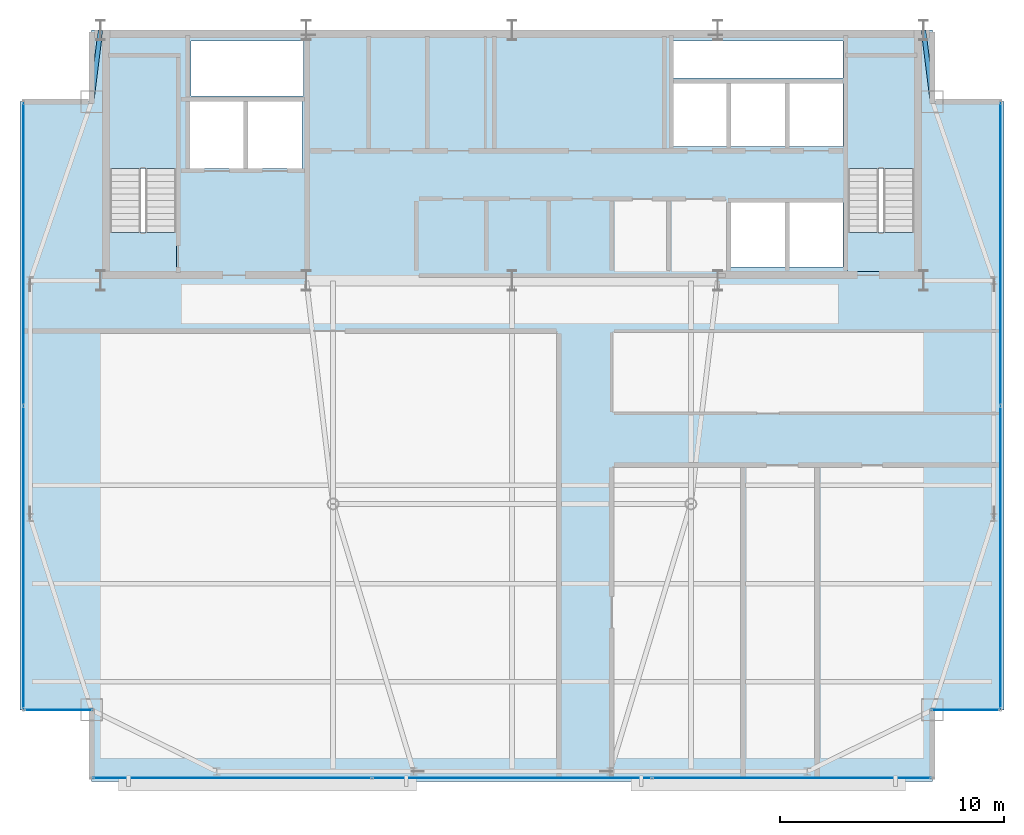
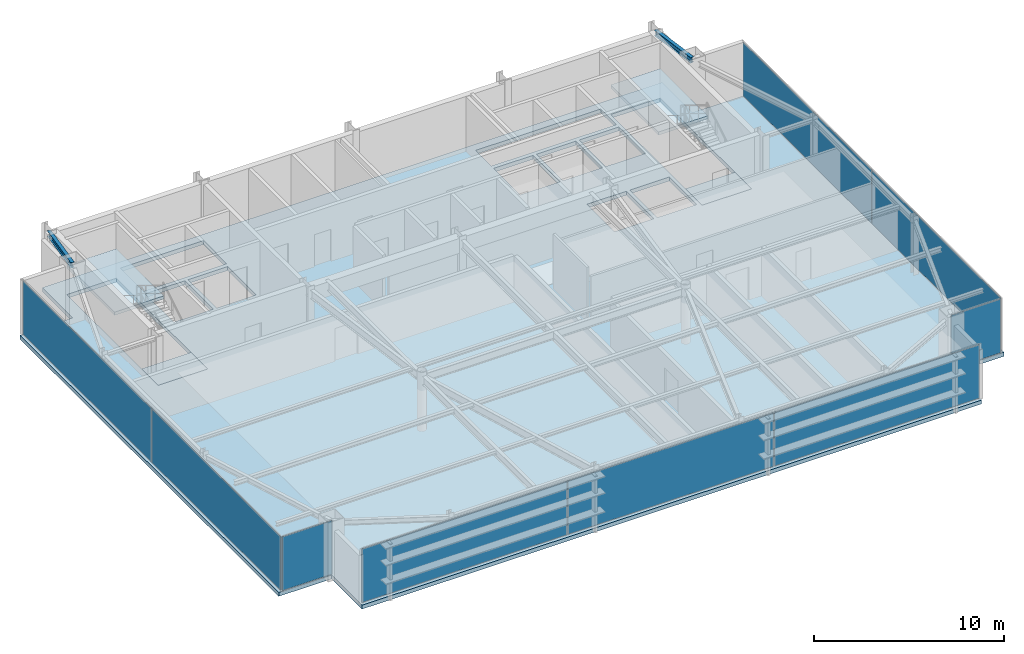
# One storey, part 18 of 24: 9 plates, 5 slabs, 2 beams, 7 elements without a shape of their own.
"""IFC4 building model written with IfcOpenShell, lengths in metres."""

from ifc_helpers import new_model, si_unit, direction, frame, origin, origin_2d, place, context, subcontext, project, spatial, polyline, rectangle, i_section, outline, extrude, source, transform, mapped, material, layer, layer_set, material_profile, profile_set, type_object, type_shapes, element, aggregate, save


model = new_model("IFC4")

# Units and contexts
model_context = context("Model", 3, precision=1e-05, world=origin(), true_north=direction((0.0, 1.0)))
body_context = subcontext(model_context, "Body", "Model", "MODEL_VIEW")
ifc_project = project(units=[si_unit("LENGTHUNIT", "METRE"), si_unit("AREAUNIT", "SQUARE_METRE"), si_unit("VOLUMEUNIT", "CUBIC_METRE"), si_unit("PLANEANGLEUNIT", "RADIAN"), si_unit("MASSUNIT", "GRAM", prefix="KILO")], contexts=[model_context])

# Site, building, storey
site_placement = place(None, origin())
site = spatial("IfcSite", under=ifc_project, at=site_placement, CompositionType="ELEMENT")
building_placement = place(site_placement, origin())
building = spatial("IfcBuilding", under=site, at=building_placement, Name="Varnel Quay Broadcast Tower", CompositionType="ELEMENT")
storey_placement = place(building_placement, frame((0.0, 0.0, 285.0)))
storey = spatial("IfcBuildingStorey", under=building, at=storey_placement, Name="L71", CompositionType="ELEMENT", Elevation=285.0)

# Beams
ifc_material_1 = material(Name="Structural Steel CSA G40.21 350W", Category="steel")
ifc_material_profile = material_profile(ifc_material_1, i_section(OverallWidth=0.205078125, OverallDepth=0.35400390625, WebThickness=0.009521484375, FlangeThickness=0.016845703125, FilletRadius=0.012939453125, at=origin_2d()), Name="W360X79")
ifc_profile_set = profile_set([ifc_material_profile], Name="Structural Steel CSA G40.21 350W")
beam_type = type_object("IfcBeamType", Name="Beam_W360X79", PredefinedType="SPANDREL", material=ifc_profile_set)
shared_shape_1 = source(origin(), body_context, "Body", "SweptSolid", [
    extrude(i_section(OverallWidth=0.205078125, OverallDepth=0.35400390625, WebThickness=0.009521484375, FlangeThickness=0.016845703125, FilletRadius=0.012939453125, at=origin_2d()), origin(), (0.0, 0.0, 1.0), 3.18505859375),
])
type_shapes(beam_type, [shared_shape_1])
for number, where, z_axis, x_axis, name in (
    (1, (15.202392578125, 43.619873046875, 3.373046875), (0.124025300311, 0.992279055953, 0.0), (-0.992279055953, 0.124025300311, 0.0), "L71 NW Tie Spandrel"),
    (2, (52.402587890625, 46.7802734375, 3.373046875), (0.124025300311, -0.992279055953, 0.0), (0.992279055953, 0.124025300311, 0.0), "L71 NE Tie Spandrel"),
):
    element("IfcBeam", number, at=place(storey_placement, frame(where, z_axis=z_axis, x_axis=x_axis)), inside=storey, type_object=beam_type, Name=name, PredefinedType="SPANDREL", context=body_context, shape_type="MappedRepresentation", body=[
        mapped(shared_shape_1, transform((0.0, 0.0, 0.0), x_axis=(1.0, 0.0, 0.0), y_axis=(0.0, 1.0, 0.0), z_axis=(0.0, 0.0, 1.0), scale=1.0)),
    ])

# Slabs
ifc_material_2 = material(Name="Concrete CSA A23.3 C50/60", Category="concrete")
ifc_layer_1 = layer(ifc_material_2, 0.25, Name="Concrete CSA A23.3 C50/60")
ifc_layer_set_1 = layer_set([ifc_layer_1], Name="Concrete CSA A23.3 C50/60")
slab_type_1 = type_object("IfcSlabType", Name="Slab_Floor250", PredefinedType="FLOOR", material=ifc_layer_set_1)
slab_1_placement = place(storey_placement, frame((0.0, 0.0, -0.25)))
element("IfcSlab", 3, at=slab_1_placement, inside=storey, type_object=slab_type_1, Name="L71 Structural Slab", PredefinedType="FLOOR", context=body_context, shape_type="SweptSolid", body=[
    extrude(outline(polyline([(15.199951171875, 13.199951171875), (52.800048828125, 13.199951171875), (52.800048828125, 16.39990234375), (56.0, 16.39990234375), (56.0, 43.60009765625), (52.800048828125, 43.60009765625), (52.800048828125, 46.800048828125), (15.199951171875, 46.800048828125), (15.199951171875, 43.60009765625), (12.0, 43.60009765625), (12.0, 16.39990234375), (15.199951171875, 16.39990234375), (15.199951171875, 13.199951171875)]), holes=[polyline([(19.0, 36.0), (16.0, 36.0), (16.0, 45.60009765625), (19.0, 45.60009765625), (19.0, 36.0)]), polyline([(19.60009765625, 40.60009765625), (19.60009765625, 43.60009765625), (22.0, 43.60009765625), (22.0, 40.60009765625), (19.60009765625, 40.60009765625)]), polyline([(22.199951171875, 40.60009765625), (22.199951171875, 43.60009765625), (24.60009765625, 43.60009765625), (24.60009765625, 40.60009765625), (22.199951171875, 40.60009765625)]), polyline([(41.199951171875, 44.39990234375), (43.60009765625, 44.39990234375), (43.60009765625, 41.60009765625), (41.199951171875, 41.60009765625), (41.199951171875, 44.39990234375)]), polyline([(43.800048828125, 44.39990234375), (46.199951171875, 44.39990234375), (46.199951171875, 41.60009765625), (43.800048828125, 41.60009765625), (43.800048828125, 44.39990234375)]), polyline([(19.64990234375, 43.85009765625), (19.64990234375, 46.300048828125), (24.679931640625, 46.300048828125), (24.679931640625, 43.85009765625), (19.64990234375, 43.85009765625)]), polyline([(43.800048828125, 39.10009765625), (46.199951171875, 39.10009765625), (46.199951171875, 36.199951171875), (43.800048828125, 36.199951171875), (43.800048828125, 39.10009765625)]), polyline([(46.39990234375, 39.10009765625), (48.800048828125, 39.10009765625), (48.800048828125, 36.199951171875), (46.39990234375, 36.199951171875), (46.39990234375, 39.10009765625)]), polyline([(52.0, 36.0), (49.0, 36.0), (49.0, 45.60009765625), (52.0, 45.60009765625), (52.0, 36.0)]), polyline([(46.39990234375, 44.39990234375), (48.800048828125, 44.39990234375), (48.800048828125, 41.60009765625), (46.39990234375, 41.60009765625), (46.39990234375, 44.39990234375)]), polyline([(41.199951171875, 46.300048828125), (48.800048828125, 46.300048828125), (48.800048828125, 44.64990234375), (41.199951171875, 44.64990234375), (41.199951171875, 46.300048828125)])]), origin(), (0.0, 0.0, 1.0), 0.25),
])
ifc_layer_2 = layer(ifc_material_2, 0.25, Name="Concrete CSA A23.3 C50/60")
ifc_layer_set_2 = layer_set([ifc_layer_2], Name="Concrete CSA A23.3 C50/60")
slab_type_2 = type_object("IfcSlabType", Name="Slab_StairFloorLanding250", PredefinedType="FLOOR", material=ifc_layer_set_2)
slab_2_placement = place(storey_placement, frame((0.0, 0.0, -0.25)))
element("IfcSlab", 4, at=slab_2_placement, inside=storey, type_object=slab_type_2, Name="L71 ST-01 Structural Floor Landing Slab", PredefinedType="FLOOR", context=body_context, shape_type="SweptSolid", body=[
    extrude(outline(polyline([(19.0, 36.0), (19.0, 37.75), (16.0, 37.75), (16.0, 36.0), (19.0, 36.0)])), origin(), (0.0, 0.0, 1.0), 0.25),
])
slab_3_placement = place(storey_placement, frame((0.0, 0.0, -0.25)))
element("IfcSlab", 5, at=slab_3_placement, inside=storey, type_object=slab_type_2, Name="L71 ST-02 Structural Floor Landing Slab", PredefinedType="FLOOR", context=body_context, shape_type="SweptSolid", body=[
    extrude(outline(polyline([(52.0, 36.0), (52.0, 37.75), (49.0, 37.75), (49.0, 36.0), (52.0, 36.0)])), origin(), (0.0, 0.0, 1.0), 0.25),
])

# Stair, slab
ifc_material_3 = material(Name="Precast Structural Concrete C40/50", Category="concrete")
stair_type_1 = type_object("IfcStairType", Name="Stair_ST-01", PredefinedType="HALF_TURN_STAIR", material=ifc_material_3)
stair_1_placement = place(storey_placement, origin())
stair_1 = element("IfcStair", 6, at=stair_1_placement, inside=storey, type_object=stair_type_1, Name="L71 West Core Exit Stair 1", PredefinedType="HALF_TURN_STAIR")
ifc_layer_3 = layer(ifc_material_3, 0.199951171875, Name="Precast Structural Concrete C40/50")
ifc_layer_set_3 = layer_set([ifc_layer_3], Name="Precast Structural Concrete C40/50")
slab_type_3 = type_object("IfcSlabType", Name="Slab_StairLanding200", PredefinedType="LANDING", material=ifc_layer_set_3)
slab_4_placement = place(storey_placement, frame((0.0, 0.0, 1.699951171875)))
slab_4 = element("IfcSlab", 7, at=slab_4_placement, type_object=slab_type_3, Name="ST-01 landing 1", PredefinedType="LANDING", context=body_context, shape_type="SweptSolid", body=[
    extrude(outline(polyline([(19.0, 40.60009765625), (19.0, 45.60009765625), (16.0, 45.60009765625), (16.0, 40.60009765625), (19.0, 40.60009765625)])), origin(), (0.0, 0.0, 1.0), 0.199951171875),
])
aggregate(stair_1, [slab_4])

stair_type_2 = type_object("IfcStairType", Name="Stair_ST-02", PredefinedType="HALF_TURN_STAIR", material=ifc_material_3)
stair_2_placement = place(storey_placement, origin())
stair_2 = element("IfcStair", 8, at=stair_2_placement, inside=storey, type_object=stair_type_2, Name="L71 East Core Exit Stair 2", PredefinedType="HALF_TURN_STAIR")
slab_5_placement = place(storey_placement, frame((0.0, 0.0, 1.699951171875)))
slab_5 = element("IfcSlab", 9, at=slab_5_placement, type_object=slab_type_3, Name="ST-02 landing 1", PredefinedType="LANDING", context=body_context, shape_type="SweptSolid", body=[
    extrude(outline(polyline([(52.0, 40.60009765625), (52.0, 45.60009765625), (49.0, 45.60009765625), (49.0, 40.60009765625), (52.0, 40.60009765625)])), origin(), (0.0, 0.0, 1.0), 0.199951171875),
])
aggregate(stair_2, [slab_5])

# Curtain wall, plates
ifc_material_4 = material(Name="Anodised Bronze Aluminium 6063-T6", Category="aluminium")
ifc_layer_4 = layer(ifc_material_4, 0.18994140625, Name="Anodised Bronze Aluminium 6063-T6")
ifc_layer_set_4 = layer_set([ifc_layer_4], Name="Anodised Bronze Aluminium 6063-T6")
curtain_wall_type_1 = type_object("IfcCurtainWallType", Name="CW_UpperTower", PredefinedType="NOTDEFINED", material=ifc_layer_set_4)
curtain_wall_1_placement = place(storey_placement, origin())
curtain_wall_1 = element("IfcCurtainWall", 10, at=curtain_wall_1_placement, inside=storey, type_object=curtain_wall_type_1, Name="L71 West Unitised Curtain Wall", PredefinedType="NOTDEFINED")
ifc_material_5 = material(Name="Insulated Bronze Spandrel Glass", Category="glass")
ifc_layer_5 = layer(ifc_material_5, 0.030029296875, Name="Insulated Bronze Spandrel Glass")
ifc_layer_set_5 = layer_set([ifc_layer_5], Name="Insulated Bronze Spandrel Glass")
plate_type_1 = type_object("IfcPlateType", Name="PanelSp_CWS-03", PredefinedType="CURTAIN_PANEL", material=ifc_layer_set_5)
shared_shape_2 = source(origin(), body_context, "Body", "SweptSolid", [
    extrude(rectangle(XDim=13.50244140625, YDim=0.030029296875, at=origin_2d()), origin(), (0.0, 0.0, 1.0), 3.429931640625),
])
plate_1_placement = place(storey_placement, frame((12.14990234375, 23.21630859375, 0.06005859375), z_axis=(0.0, 0.0, 1.0), x_axis=(0.0, 1.0, 0.0)))
plate_1 = element("IfcPlate", 11, at=plate_1_placement, type_object=plate_type_1, Name="CWS-03 panel 1.1", PredefinedType="CURTAIN_PANEL", context=body_context, shape_type="MappedRepresentation", body=[
    mapped(shared_shape_2, transform((0.0, 0.0, 0.0), x_axis=(1.0, 0.0, 0.0), y_axis=(0.0, 1.0, 0.0), z_axis=(0.0, 0.0, 1.0), scale=1.0)),
])
plate_2_placement = place(storey_placement, frame((12.14990234375, 36.78369140625, 0.06005859375), z_axis=(0.0, 0.0, 1.0), x_axis=(0.0, 1.0, 0.0)))
plate_2 = element("IfcPlate", 12, at=plate_2_placement, type_object=plate_type_1, Name="CWS-03 panel 2.1", PredefinedType="CURTAIN_PANEL", context=body_context, shape_type="MappedRepresentation", body=[
    mapped(shared_shape_2, transform((0.0, 0.0, 0.0), x_axis=(1.0, 0.0, 0.0), y_axis=(0.0, 1.0, 0.0), z_axis=(0.0, 0.0, 1.0), scale=1.0)),
])
aggregate(curtain_wall_1, [plate_1, plate_2])

curtain_wall_2_placement = place(storey_placement, origin())
curtain_wall_2 = element("IfcCurtainWall", 13, at=curtain_wall_2_placement, inside=storey, type_object=curtain_wall_type_1, Name="L71 East Unitised Curtain Wall", PredefinedType="NOTDEFINED")
plate_3_placement = place(storey_placement, frame((55.85009765625, 23.21630859375, 0.06005859375), z_axis=(0.0, 0.0, 1.0), x_axis=(0.0, 1.0, 0.0)))
plate_3 = element("IfcPlate", 14, at=plate_3_placement, type_object=plate_type_1, Name="CWS-03 panel 1.1", PredefinedType="CURTAIN_PANEL", context=body_context, shape_type="MappedRepresentation", body=[
    mapped(shared_shape_2, transform((0.0, 0.0, 0.0), x_axis=(1.0, 0.0, 0.0), y_axis=(0.0, 1.0, 0.0), z_axis=(0.0, 0.0, 1.0), scale=1.0)),
])
plate_4_placement = place(storey_placement, frame((55.85009765625, 36.78369140625, 0.06005859375), z_axis=(0.0, 0.0, 1.0), x_axis=(0.0, 1.0, 0.0)))
plate_4 = element("IfcPlate", 15, at=plate_4_placement, type_object=plate_type_1, Name="CWS-03 panel 2.1", PredefinedType="CURTAIN_PANEL", context=body_context, shape_type="MappedRepresentation", body=[
    mapped(shared_shape_2, transform((0.0, 0.0, 0.0), x_axis=(1.0, 0.0, 0.0), y_axis=(0.0, 1.0, 0.0), z_axis=(0.0, 0.0, 1.0), scale=1.0)),
])
aggregate(curtain_wall_2, [plate_3, plate_4])

# Curtain wall, plate
ifc_layer_6 = layer(ifc_material_4, 0.18994140625, Name="Anodised Bronze Aluminium 6063-T6")
ifc_layer_set_6 = layer_set([ifc_layer_6], Name="Anodised Bronze Aluminium 6063-T6")
curtain_wall_type_2 = type_object("IfcCurtainWallType", Name="CW_NotchCorner", PredefinedType="NOTDEFINED", material=ifc_layer_set_6)
curtain_wall_3_placement = place(storey_placement, origin())
curtain_wall_3 = element("IfcCurtainWall", 16, at=curtain_wall_3_placement, inside=storey, type_object=curtain_wall_type_2, Name="L71 SW Notch Curtain Wall", PredefinedType="NOTDEFINED")
ifc_material_6 = material(Name="Triple-Glazed Bronze Low-E Architectural Glass", Category="glass")
ifc_layer_7 = layer(ifc_material_6, 0.028076171875, Name="Triple-Glazed Bronze Low-E Architectural Glass")
ifc_layer_set_7 = layer_set([ifc_layer_7], Name="Triple-Glazed Bronze Low-E Architectural Glass")
plate_type_2 = type_object("IfcPlateType", Name="Panel_CWS-04", PredefinedType="CURTAIN_PANEL", material=ifc_layer_set_7)
shared_shape_3 = source(origin(), body_context, "Body", "SweptSolid", [
    extrude(rectangle(XDim=3.010009765625, YDim=0.028076171875, at=origin_2d()), origin(), (0.0, 0.0, 1.0), 3.43994140625),
])
type_shapes(plate_type_2, [shared_shape_3])
plate_5_placement = place(storey_placement, frame((13.715087890625, 16.39990234375, 0.054931640625), z_axis=(0.0, 0.0, 1.0), x_axis=(1.0, 0.0, 0.0)))
plate_5 = element("IfcPlate", 17, at=plate_5_placement, type_object=plate_type_2, Name="CWS-04 panel 1.1", PredefinedType="CURTAIN_PANEL", context=body_context, shape_type="MappedRepresentation", body=[
    mapped(shared_shape_3, transform((0.0, 0.0, 0.0), x_axis=(1.0, 0.0, 0.0), y_axis=(0.0, 1.0, 0.0), z_axis=(0.0, 0.0, 1.0), scale=1.0)),
])
aggregate(curtain_wall_3, [plate_5])

curtain_wall_4_placement = place(storey_placement, origin())
curtain_wall_4 = element("IfcCurtainWall", 18, at=curtain_wall_4_placement, inside=storey, type_object=curtain_wall_type_2, Name="L71 SE Notch Curtain Wall", PredefinedType="NOTDEFINED")
plate_6_placement = place(storey_placement, frame((54.284912109375, 16.39990234375, 0.054931640625), z_axis=(0.0, 0.0, 1.0), x_axis=(1.0, 0.0, 0.0)))
plate_6 = element("IfcPlate", 19, at=plate_6_placement, type_object=plate_type_2, Name="CWS-04 panel 1.1", PredefinedType="CURTAIN_PANEL", context=body_context, shape_type="MappedRepresentation", body=[
    mapped(shared_shape_3, transform((0.0, 0.0, 0.0), x_axis=(1.0, 0.0, 0.0), y_axis=(0.0, 1.0, 0.0), z_axis=(0.0, 0.0, 1.0), scale=1.0)),
])
aggregate(curtain_wall_4, [plate_6])

# Curtain wall, plates
curtain_wall_5_placement = place(storey_placement, origin())
curtain_wall_5 = element("IfcCurtainWall", 20, at=curtain_wall_5_placement, inside=storey, type_object=curtain_wall_type_1, Name="L71 South Unitised Curtain Wall 1", PredefinedType="NOTDEFINED")
ifc_layer_8 = layer(ifc_material_6, 0.030029296875, Name="Triple-Glazed Bronze Low-E Architectural Glass")
ifc_layer_set_8 = layer_set([ifc_layer_8], Name="Triple-Glazed Bronze Low-E Architectural Glass")
plate_type_3 = type_object("IfcPlateType", Name="Panel_CWS-03", PredefinedType="CURTAIN_PANEL", material=ifc_layer_set_8)
shared_shape_4 = source(origin(), body_context, "Body", "SweptSolid", [
    extrude(rectangle(XDim=12.435791015625, YDim=0.030029296875, at=origin_2d()), origin(), (0.0, 0.0, 1.0), 3.429931640625),
])
type_shapes(plate_type_3, [shared_shape_4])
plate_7_placement = place(storey_placement, frame((21.48291015625, 13.35009765625, 0.06005859375), z_axis=(0.0, 0.0, 1.0), x_axis=(1.0, 0.0, 0.0)))
plate_7 = element("IfcPlate", 21, at=plate_7_placement, type_object=plate_type_3, Name="CWS-03 panel 1.1", PredefinedType="CURTAIN_PANEL", context=body_context, shape_type="MappedRepresentation", body=[
    mapped(shared_shape_4, transform((0.0, 0.0, 0.0), x_axis=(1.0, 0.0, 0.0), y_axis=(0.0, 1.0, 0.0), z_axis=(0.0, 0.0, 1.0), scale=1.0)),
])
plate_8_placement = place(storey_placement, frame((46.51708984375, 13.35009765625, 0.06005859375), z_axis=(0.0, 0.0, 1.0), x_axis=(1.0, 0.0, 0.0)))
plate_8 = element("IfcPlate", 22, at=plate_8_placement, type_object=plate_type_3, Name="CWS-03 panel 3.1", PredefinedType="CURTAIN_PANEL", context=body_context, shape_type="MappedRepresentation", body=[
    mapped(shared_shape_4, transform((0.0, 0.0, 0.0), x_axis=(1.0, 0.0, 0.0), y_axis=(0.0, 1.0, 0.0), z_axis=(0.0, 0.0, 1.0), scale=1.0)),
])
shared_shape_5 = source(origin(), body_context, "Body", "SweptSolid", [
    extrude(rectangle(XDim=12.46826171875, YDim=0.030029296875, at=origin_2d()), origin(), (0.0, 0.0, 1.0), 3.429931640625),
])
type_shapes(plate_type_1, [shared_shape_2, shared_shape_5])
plate_9_placement = place(storey_placement, frame((34.0, 13.35009765625, 0.06005859375), z_axis=(0.0, 0.0, 1.0), x_axis=(1.0, 0.0, 0.0)))
plate_9 = element("IfcPlate", 23, at=plate_9_placement, type_object=plate_type_1, Name="CWS-03 panel 2.1", PredefinedType="CURTAIN_PANEL", context=body_context, shape_type="MappedRepresentation", body=[
    mapped(shared_shape_5, transform((0.0, 0.0, 0.0), x_axis=(1.0, 0.0, 0.0), y_axis=(0.0, 1.0, 0.0), z_axis=(0.0, 0.0, 1.0), scale=1.0)),
])
aggregate(curtain_wall_5, [plate_7, plate_9, plate_8])

save(model, "model.ifc")
